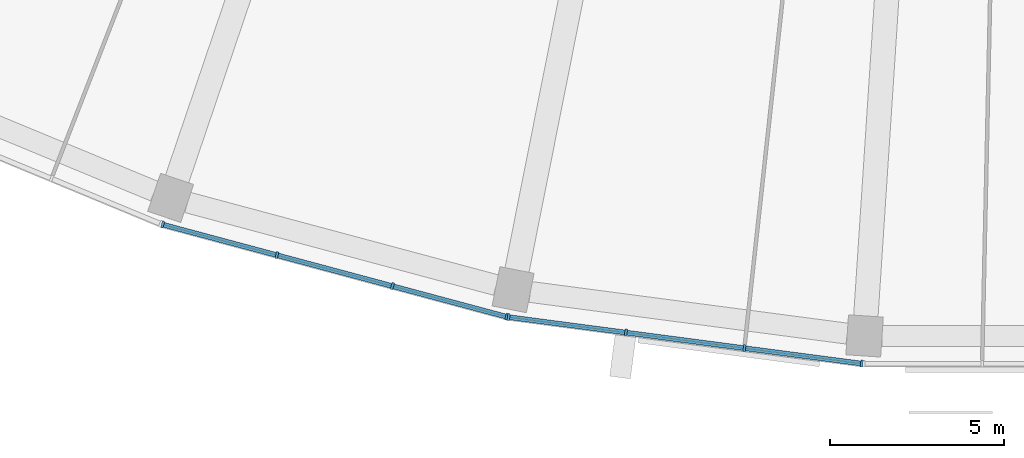
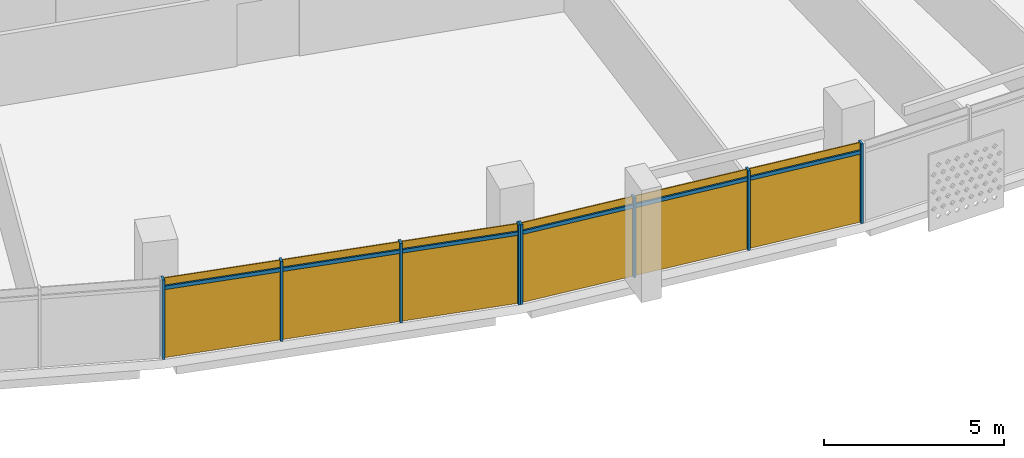
# One storey, part 19 of 28: 14 members, 2 curtain walls.
"""IFC4 building model written with IfcOpenShell, lengths in metres."""

from ifc_helpers import new_model, si_unit, direction, frame, origin, origin_2d, place, context, subcontext, project, spatial, rectangle, extrude, material, material_profile, profile_set, type_object, element, aggregate, save


model = new_model("IFC4")

# Units and contexts
model_context = context("Model", 3, precision=1e-05, world=origin(), true_north=direction((0.0, 1.0)))
body_context = subcontext(model_context, "Body", "Model", "MODEL_VIEW")
ifc_project = project(units=[si_unit("LENGTHUNIT", "METRE"), si_unit("AREAUNIT", "SQUARE_METRE"), si_unit("VOLUMEUNIT", "CUBIC_METRE"), si_unit("PLANEANGLEUNIT", "RADIAN"), si_unit("MASSUNIT", "GRAM", prefix="KILO")], contexts=[model_context])

# Member
ifc_material = material(Name="Aluminium 6063-T6 anodised", Category="aluminium")
ifc_material_profile_1 = material_profile(ifc_material, rectangle(XDim=0.199951171875, YDim=0.070068359375, at=origin_2d()))
ifc_profile_set_1 = profile_set([ifc_material_profile_1], Name="Aluminium 6063-T6 anodised")
member_type_1 = type_object("IfcMemberType", Name="Mullion 70 x 200 aluminium", PredefinedType="MULLION", material=ifc_profile_set_1)
site_placement = place(None, origin())
building_placement = place(site_placement, origin())
storey_placement = place(building_placement, frame((0.0, 0.0, 230.300048828125)))
member_1_placement = place(storey_placement, frame((-25.221435546875, -74.388427734375, 0.0), z_axis=(0.0, 0.0, 1.0), x_axis=(0.258819045103, 0.965925826289, 0.0)))
member_1 = element("IfcMember", 1, at=member_1_placement, type_object=member_type_1, Name="e-cw1-L55-out06/M00", PredefinedType="MULLION", context=body_context, shape_type="SweptSolid", body=[
    extrude(rectangle(XDim=0.199951171875, YDim=0.070068359375, at=origin_2d()), origin(), (0.0, 0.0, 1.0), 2.699951171875),
])

member_2_placement = place(storey_placement, frame((-21.94287109375, -75.26708984375, 0.0), z_axis=(0.0, 0.0, 1.0), x_axis=(0.258819045103, 0.965925826289, 0.0)))
member_2 = element("IfcMember", 2, at=member_2_placement, type_object=member_type_1, Name="e-cw1-L55-out06/M01", PredefinedType="MULLION", context=body_context, shape_type="SweptSolid", body=[
    extrude(rectangle(XDim=0.199951171875, YDim=0.070068359375, at=origin_2d()), origin(), (0.0, 0.0, 1.0), 2.699951171875),
])

member_3_placement = place(storey_placement, frame((-18.63037109375, -76.154541015625, 0.0), z_axis=(0.0, 0.0, 1.0), x_axis=(0.258819045103, 0.965925826289, 0.0)))
member_3 = element("IfcMember", 3, at=member_3_placement, type_object=member_type_1, Name="e-cw1-L55-out06/M02", PredefinedType="MULLION", context=body_context, shape_type="SweptSolid", body=[
    extrude(rectangle(XDim=0.199951171875, YDim=0.070068359375, at=origin_2d()), origin(), (0.0, 0.0, 1.0), 2.699951171875),
])

member_4_placement = place(storey_placement, frame((-15.351806640625, -77.033203125, 0.0), z_axis=(0.0, 0.0, 1.0), x_axis=(0.258819045103, 0.965925826289, 0.0)))
member_4 = element("IfcMember", 4, at=member_4_placement, type_object=member_type_1, Name="e-cw1-L55-out06/M03", PredefinedType="MULLION", context=body_context, shape_type="SweptSolid", body=[
    extrude(rectangle(XDim=0.199951171875, YDim=0.070068359375, at=origin_2d()), origin(), (0.0, 0.0, 1.0), 2.699951171875),
])

member_5_placement = place(storey_placement, frame((-15.296142578125, -77.044189453125, 0.0), z_axis=(0.0, 0.0, 1.0), x_axis=(0.13052619222, 0.991444861374, 0.0)))
member_5 = element("IfcMember", 5, at=member_5_placement, type_object=member_type_1, Name="e-cw1-L55-out07/M00", PredefinedType="MULLION", context=body_context, shape_type="SweptSolid", body=[
    extrude(rectangle(XDim=0.199951171875, YDim=0.070068359375, at=origin_2d()), origin(), (0.0, 0.0, 1.0), 2.699951171875),
])

member_6_placement = place(storey_placement, frame((-11.930908203125, -77.4873046875, 0.0), z_axis=(0.0, 0.0, 1.0), x_axis=(0.13052619222, 0.991444861374, 0.0)))
member_6 = element("IfcMember", 6, at=member_6_placement, type_object=member_type_1, Name="e-cw1-L55-out07/M01", PredefinedType="MULLION", context=body_context, shape_type="SweptSolid", body=[
    extrude(rectangle(XDim=0.199951171875, YDim=0.070068359375, at=origin_2d()), origin(), (0.0, 0.0, 1.0), 2.699951171875),
])

member_7_placement = place(storey_placement, frame((-8.53076171875, -77.934814453125, 0.0), z_axis=(0.0, 0.0, 1.0), x_axis=(0.13052619222, 0.991444861374, 0.0)))
member_7 = element("IfcMember", 7, at=member_7_placement, type_object=member_type_1, Name="e-cw1-L55-out07/M02", PredefinedType="MULLION", context=body_context, shape_type="SweptSolid", body=[
    extrude(rectangle(XDim=0.199951171875, YDim=0.070068359375, at=origin_2d()), origin(), (0.0, 0.0, 1.0), 2.699951171875),
])

member_8_placement = place(storey_placement, frame((-5.16552734375, -78.3779296875, 0.0), z_axis=(0.0, 0.0, 1.0), x_axis=(0.13052619222, 0.991444861374, 0.0)))
member_8 = element("IfcMember", 8, at=member_8_placement, type_object=member_type_1, Name="e-cw1-L55-out07/M03", PredefinedType="MULLION", context=body_context, shape_type="SweptSolid", body=[
    extrude(rectangle(XDim=0.199951171875, YDim=0.070068359375, at=origin_2d()), origin(), (0.0, 0.0, 1.0), 2.699951171875),
])

ifc_material_profile_2 = material_profile(ifc_material, rectangle(XDim=0.139892578125, YDim=0.1201171875, at=origin_2d()))
ifc_profile_set_2 = profile_set([ifc_material_profile_2], Name="Aluminium 6063-T6 anodised")
member_type_2 = type_object("IfcMemberType", Name="Transom 120 x 140 aluminium", PredefinedType="USERDEFINED", material=ifc_profile_set_2)
member_9_placement = place(storey_placement, frame((-25.187744140625, -74.3974609375, 2.39990234375), z_axis=(0.965908708139, -0.25888292246, 0.0), x_axis=(0.25888292246, 0.965908708139, 0.0)))
member_9 = element("IfcMember", 9, at=member_9_placement, type_object=member_type_2, Name="e-cw1-L55-out06/T00", ObjectType="TRANSOM", PredefinedType="USERDEFINED", context=body_context, shape_type="SweptSolid", body=[
    extrude(rectangle(XDim=0.139892578125, YDim=0.1201171875, at=origin_2d()), origin(), (0.0, 0.0, 1.0), 3.32421875),
])

member_10_placement = place(storey_placement, frame((-21.9091796875, -75.276123046875, 2.39990234375), z_axis=(0.965931507774, -0.258797840582, 0.0), x_axis=(0.258797840582, 0.965931507774, 0.0)))
member_10 = element("IfcMember", 10, at=member_10_placement, type_object=member_type_2, Name="e-cw1-L55-out06/T01", ObjectType="TRANSOM", PredefinedType="USERDEFINED", context=body_context, shape_type="SweptSolid", body=[
    extrude(rectangle(XDim=0.139892578125, YDim=0.1201171875, at=origin_2d()), origin(), (0.0, 0.0, 1.0), 3.359375),
])

member_11_placement = place(storey_placement, frame((-18.5966796875, -76.16357421875, 2.39990234375), z_axis=(0.965913629723, -0.258864559019, 0.0), x_axis=(0.258864559019, 0.965913629723, 0.0)))
member_11 = element("IfcMember", 11, at=member_11_placement, type_object=member_type_2, Name="e-cw1-L55-out06/T02", ObjectType="TRANSOM", PredefinedType="USERDEFINED", context=body_context, shape_type="SweptSolid", body=[
    extrude(rectangle(XDim=0.139892578125, YDim=0.1201171875, at=origin_2d()), origin(), (0.0, 0.0, 1.0), 3.324462890625),
])

member_12_placement = place(storey_placement, frame((-15.261474609375, -77.048828125, 2.39990234375), z_axis=(0.991447795146, -0.130503906072, 0.0), x_axis=(0.130503906072, 0.991447795146, 0.0)))
member_12 = element("IfcMember", 12, at=member_12_placement, type_object=member_type_2, Name="e-cw1-L55-out07/T00", ObjectType="TRANSOM", PredefinedType="USERDEFINED", context=body_context, shape_type="SweptSolid", body=[
    extrude(rectangle(XDim=0.139892578125, YDim=0.1201171875, at=origin_2d()), origin(), (0.0, 0.0, 1.0), 3.32421875),
])

member_13_placement = place(storey_placement, frame((-11.896240234375, -77.49169921875, 2.39990234375), z_axis=(0.991444893088, -0.130525951326, 0.0), x_axis=(0.130525951326, 0.991444893088, 0.0)))
member_13 = element("IfcMember", 13, at=member_13_placement, type_object=member_type_2, Name="e-cw1-L55-out07/T01", ObjectType="TRANSOM", PredefinedType="USERDEFINED", context=body_context, shape_type="SweptSolid", body=[
    extrude(rectangle(XDim=0.139892578125, YDim=0.1201171875, at=origin_2d()), origin(), (0.0, 0.0, 1.0), 3.359375),
])

member_14_placement = place(storey_placement, frame((-8.49609375, -77.939453125, 2.39990234375), z_axis=(0.991447795146, -0.130503906072, 0.0), x_axis=(0.130503906072, 0.991447795146, 0.0)))
member_14 = element("IfcMember", 14, at=member_14_placement, type_object=member_type_2, Name="e-cw1-L55-out07/T02", ObjectType="TRANSOM", PredefinedType="USERDEFINED", context=body_context, shape_type="SweptSolid", body=[
    extrude(rectangle(XDim=0.139892578125, YDim=0.1201171875, at=origin_2d()), origin(), (0.0, 0.0, 1.0), 3.32421875),
])

# Site, building, storey
site = spatial("IfcSite", under=ifc_project, at=site_placement, CompositionType="ELEMENT")
building = spatial("IfcBuilding", under=site, at=building_placement, Name="Qamariyya Broadcast Tower", CompositionType="ELEMENT")
storey = spatial("IfcBuildingStorey", under=building, at=storey_placement, Name="L55", CompositionType="ELEMENT", Elevation=230.300048828125)

# Curtain wall
curtain_wall_type = type_object("IfcCurtainWallType", Name="Unitised curtain wall, anodised aluminium", PredefinedType="NOTDEFINED", material=ifc_material)
curtain_wall_1_placement = place(storey_placement, origin())
curtain_wall_1 = element("IfcCurtainWall", 15, at=curtain_wall_1_placement, inside=storey, type_object=curtain_wall_type, Name="e-cw1-L55-out06", PredefinedType="NOTDEFINED", context=body_context, shape_type="SweptSolid", body=[
    extrude(rectangle(XDim=3.324462890625, YDim=0.031982421875, at=origin_2d()), frame((-23.582275390625, -74.82763671875, 0.0), x_axis=(0.965923476514, -0.258827814424, 0.0)), (0.0, 0.0, 1.0), 2.340087890625),
    extrude(rectangle(XDim=3.324462890625, YDim=0.031982421875, at=origin_2d()), frame((-23.582275390625, -74.82763671875, 2.4599609375), x_axis=(0.965923476514, -0.258827814424, 0.0)), (0.0, 0.0, 1.0), 0.239990234375),
    extrude(rectangle(XDim=3.359375, YDim=0.031982421875, at=origin_2d()), frame((-20.28662109375, -75.7109375, 0.0), x_axis=(0.965923476514, -0.258827814424, 0.0)), (0.0, 0.0, 1.0), 2.340087890625),
    extrude(rectangle(XDim=3.359375, YDim=0.031982421875, at=origin_2d()), frame((-20.28662109375, -75.7109375, 2.4599609375), x_axis=(0.965923476514, -0.258827814424, 0.0)), (0.0, 0.0, 1.0), 0.239990234375),
    extrude(rectangle(XDim=3.324462890625, YDim=0.031982421875, at=origin_2d()), frame((-16.990966796875, -76.593994140625, 0.0), x_axis=(0.965923476514, -0.258827814424, 0.0)), (0.0, 0.0, 1.0), 2.340087890625),
    extrude(rectangle(XDim=3.324462890625, YDim=0.031982421875, at=origin_2d()), frame((-16.990966796875, -76.593994140625, 2.4599609375), x_axis=(0.965923476514, -0.258827814424, 0.0)), (0.0, 0.0, 1.0), 0.239990234375),
])

aggregate(curtain_wall_1, [member_1, member_2, member_3, member_4, member_9, member_10, member_11])

curtain_wall_2_placement = place(storey_placement, origin())
curtain_wall_2 = element("IfcCurtainWall", 16, at=curtain_wall_2_placement, inside=storey, type_object=curtain_wall_type, Name="e-cw1-L55-out07", PredefinedType="NOTDEFINED", context=body_context, shape_type="SweptSolid", body=[
    extrude(rectangle(XDim=3.32421875, YDim=0.031982421875, at=origin_2d()), frame((-13.613525390625, -77.265625, 0.0), x_axis=(0.991442741341, -0.130542294457, 0.0)), (0.0, 0.0, 1.0), 2.340087890625),
    extrude(rectangle(XDim=3.32421875, YDim=0.031982421875, at=origin_2d()), frame((-13.613525390625, -77.265625, 2.4599609375), x_axis=(0.991442741341, -0.130542294457, 0.0)), (0.0, 0.0, 1.0), 0.239990234375),
    extrude(rectangle(XDim=3.359375, YDim=0.031982421875, at=origin_2d()), frame((-10.23095703125, -77.7109375, 0.0), x_axis=(0.991442741341, -0.130542294457, 0.0)), (0.0, 0.0, 1.0), 2.340087890625),
    extrude(rectangle(XDim=3.359375, YDim=0.031982421875, at=origin_2d()), frame((-10.23095703125, -77.7109375, 2.4599609375), x_axis=(0.991442741341, -0.130542294457, 0.0)), (0.0, 0.0, 1.0), 0.239990234375),
    extrude(rectangle(XDim=3.32421875, YDim=0.031982421875, at=origin_2d()), frame((-6.84814453125, -78.156494140625, 0.0), x_axis=(0.991442741341, -0.130542294457, 0.0)), (0.0, 0.0, 1.0), 2.340087890625),
    extrude(rectangle(XDim=3.32421875, YDim=0.031982421875, at=origin_2d()), frame((-6.84814453125, -78.156494140625, 2.4599609375), x_axis=(0.991442741341, -0.130542294457, 0.0)), (0.0, 0.0, 1.0), 0.239990234375),
])

aggregate(curtain_wall_2, [member_5, member_6, member_7, member_8, member_12, member_13, member_14])

save(model, "model.ifc")
